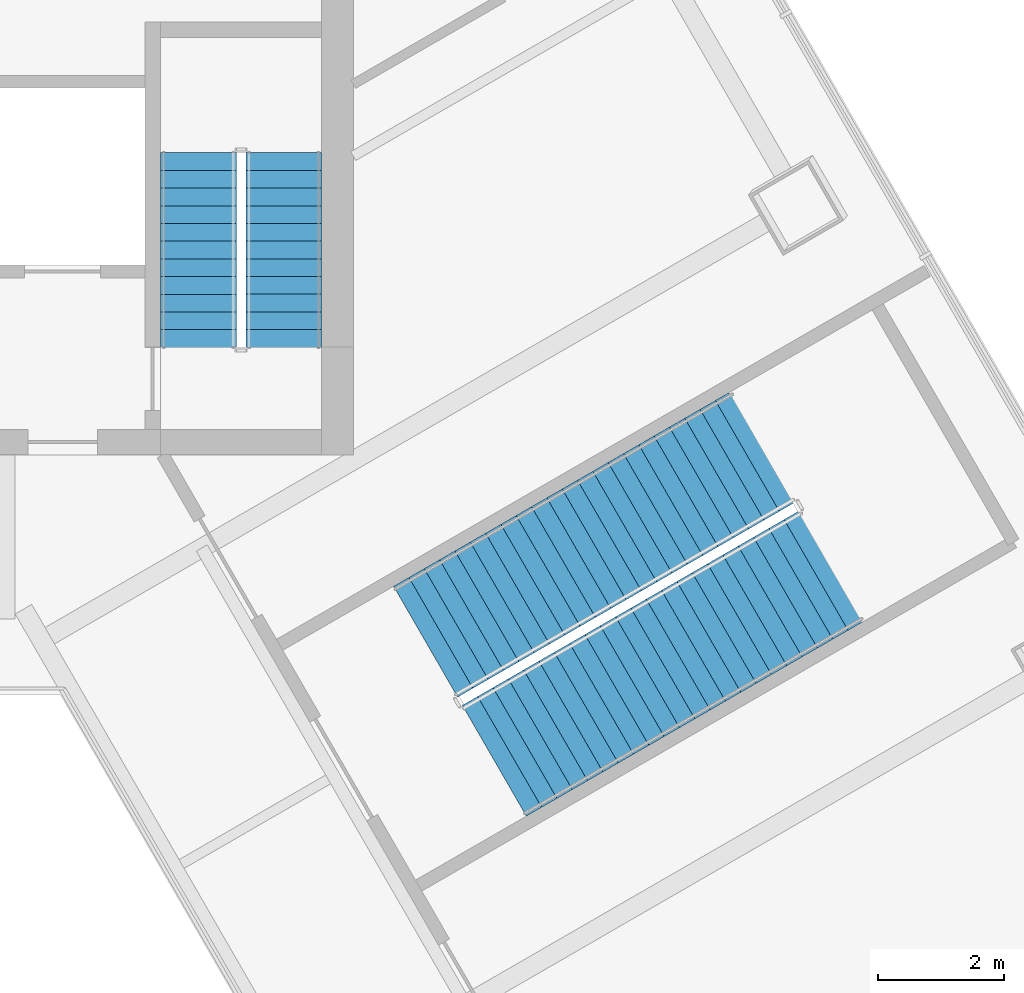
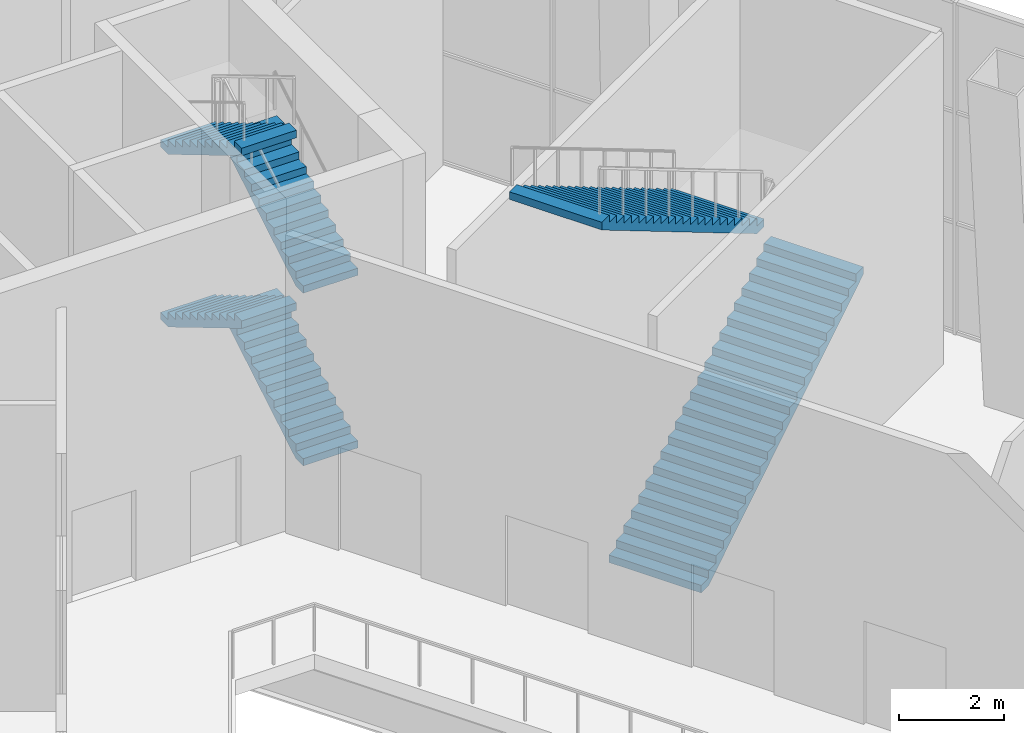
# One storey, part 13 of 16: 6 stair flights, 2 elements without a shape of their own.
"""IFC4 building model written with IfcOpenShell, lengths in metres."""

from ifc_helpers import new_model, si_unit, direction, frame, origin, place, context, subcontext, project, spatial, polyline, outline, extrude, material, type_object, element, aggregate, save


model = new_model("IFC4")

# Units and contexts
model_context = context("Model", 3, precision=1e-05, world=origin(), true_north=direction((0.0, 1.0)))
body_context = subcontext(model_context, "Body", "Model", "MODEL_VIEW")
ifc_project = project(units=[si_unit("LENGTHUNIT", "METRE"), si_unit("AREAUNIT", "SQUARE_METRE"), si_unit("VOLUMEUNIT", "CUBIC_METRE"), si_unit("PLANEANGLEUNIT", "RADIAN"), si_unit("MASSUNIT", "GRAM", prefix="KILO")], contexts=[model_context])

# Site, building, storey
site_placement = place(None, origin())
site = spatial("IfcSite", under=ifc_project, at=site_placement, CompositionType="ELEMENT")
building_placement = place(site_placement, origin())
building = spatial("IfcBuilding", under=site, at=building_placement, Name="Apuvela Tower Hotel", CompositionType="ELEMENT")
storey_placement = place(building_placement, frame((0.0, 0.0, 15.5)))
storey = spatial("IfcBuildingStorey", under=building, at=storey_placement, Name="L02", CompositionType="ELEMENT", Elevation=15.5)

# Stair, stair flights
ifc_material_1 = material(Name="Concrete C50/60", Category="concrete")
stair_type_1 = type_object("IfcStairType", Name="COR-STAIR-48R", PredefinedType="HALF_TURN_STAIR", material=ifc_material_1)
stair_1_placement = place(storey_placement, origin())
stair_1 = element("IfcStair", 1, at=stair_1_placement, inside=storey, type_object=stair_type_1, Name="L02 Exit stair ST1", PredefinedType="HALF_TURN_STAIR")
stair_flight_type_1 = type_object("IfcStairFlightType", Name="COR-FLIGHT-12R", PredefinedType="STRAIGHT", material=ifc_material_1)
stair_flight_1_placement = place(storey_placement, frame((4.39990234375, 14.60009765625, 0.0), z_axis=(0.0, 0.0, 1.0), x_axis=(0.0, 1.0, 0.0)))
stair_flight_1 = element("IfcStairFlight", 2, at=stair_flight_1_placement, type_object=stair_flight_type_1, Name="ST1 flight 1", NumberOfRisers=12, NumberOfTreads=11, PredefinedType="STRAIGHT", RiserHeight=0.166666667, TreadLength=0.28, context=body_context, shape_type="SweptSolid", body=[
    extrude(outline(polyline([(0.0, 0.0), (0.0, 0.166748046875), (0.280029296875, 0.166748046875), (0.280029296875, 0.333251953125), (0.56005859375, 0.333251953125), (0.56005859375, 0.5), (0.840087890625, 0.5), (0.840087890625, 0.666748046875), (1.1201171875, 0.666748046875), (1.1201171875, 0.833251953125), (1.39990234375, 0.833251953125), (1.39990234375, 1.0), (1.679931640625, 1.0), (1.679931640625, 1.166748046875), (1.9599609375, 1.166748046875), (1.9599609375, 1.333251953125), (2.239990234375, 1.333251953125), (2.239990234375, 1.5), (2.52001953125, 1.5), (2.52001953125, 1.666748046875), (2.800048828125, 1.666748046875), (2.800048828125, 1.833251953125), (3.080078125, 1.833251953125), (3.080078125, 2.0), (3.080078125, 1.658935546875), (0.29296875, 0.0), (0.0, 0.0)])), frame((0.0, 0.60009765625, 0.0), z_axis=(0.0, -1.0, 0.0), x_axis=(1.0, 0.0, 0.0)), (0.0, 0.0, 1.0), 1.199951171875),
])
stair_flight_2_placement = place(storey_placement, frame((3.050048828125, 17.679931640625, 2.0), z_axis=(0.0, 0.0, 1.0), x_axis=(0.0, -1.0, 0.0)))
stair_flight_2 = element("IfcStairFlight", 3, at=stair_flight_2_placement, type_object=stair_flight_type_1, Name="ST1 flight 2", NumberOfRisers=12, NumberOfTreads=11, PredefinedType="STRAIGHT", RiserHeight=0.166666667, TreadLength=0.28, context=body_context, shape_type="SweptSolid", body=[
    extrude(outline(polyline([(0.0, 0.0), (0.0, 0.166748046875), (0.280029296875, 0.166748046875), (0.280029296875, 0.333251953125), (0.56005859375, 0.333251953125), (0.56005859375, 0.5), (0.840087890625, 0.5), (0.840087890625, 0.666748046875), (1.1201171875, 0.666748046875), (1.1201171875, 0.833251953125), (1.39990234375, 0.833251953125), (1.39990234375, 1.0), (1.679931640625, 1.0), (1.679931640625, 1.166748046875), (1.9599609375, 1.166748046875), (1.9599609375, 1.333251953125), (2.239990234375, 1.333251953125), (2.239990234375, 1.5), (2.52001953125, 1.5), (2.52001953125, 1.666748046875), (2.800048828125, 1.666748046875), (2.800048828125, 1.833251953125), (3.080078125, 1.833251953125), (3.080078125, 2.0), (3.080078125, 1.658935546875), (0.29296875, 0.0), (0.0, 0.0)])), frame((0.0, 0.60009765625, 0.0), z_axis=(0.0, -1.0, 0.0), x_axis=(1.0, 0.0, 0.0)), (0.0, 0.0, 1.0), 1.199951171875),
])
stair_flight_3_placement = place(storey_placement, frame((4.39990234375, 14.60009765625, 4.0), z_axis=(0.0, 0.0, 1.0), x_axis=(0.0, 1.0, 0.0)))
stair_flight_3 = element("IfcStairFlight", 4, at=stair_flight_3_placement, type_object=stair_flight_type_1, Name="ST1 flight 3", NumberOfRisers=12, NumberOfTreads=11, PredefinedType="STRAIGHT", RiserHeight=0.166666667, TreadLength=0.28, context=body_context, shape_type="SweptSolid", body=[
    extrude(outline(polyline([(0.0, 0.0), (0.0, 0.166748046875), (0.280029296875, 0.166748046875), (0.280029296875, 0.333251953125), (0.56005859375, 0.333251953125), (0.56005859375, 0.5), (0.840087890625, 0.5), (0.840087890625, 0.666748046875), (1.1201171875, 0.666748046875), (1.1201171875, 0.833251953125), (1.39990234375, 0.833251953125), (1.39990234375, 1.0), (1.679931640625, 1.0), (1.679931640625, 1.166748046875), (1.9599609375, 1.166748046875), (1.9599609375, 1.333251953125), (2.239990234375, 1.333251953125), (2.239990234375, 1.5), (2.52001953125, 1.5), (2.52001953125, 1.666748046875), (2.800048828125, 1.666748046875), (2.800048828125, 1.833251953125), (3.080078125, 1.833251953125), (3.080078125, 2.0), (3.080078125, 1.658935546875), (0.29296875, 0.0), (0.0, 0.0)])), frame((0.0, 0.60009765625, 0.0), z_axis=(0.0, -1.0, 0.0), x_axis=(1.0, 0.0, 0.0)), (0.0, 0.0, 1.0), 1.199951171875),
])
stair_flight_4_placement = place(storey_placement, frame((3.050048828125, 17.679931640625, 6.0), z_axis=(0.0, 0.0, 1.0), x_axis=(0.0, -1.0, 0.0)))
stair_flight_4 = element("IfcStairFlight", 5, at=stair_flight_4_placement, type_object=stair_flight_type_1, Name="ST1 flight 4", NumberOfRisers=12, NumberOfTreads=11, PredefinedType="STRAIGHT", RiserHeight=0.166666667, TreadLength=0.28, context=body_context, shape_type="SweptSolid", body=[
    extrude(outline(polyline([(0.0, 0.0), (0.0, 0.166748046875), (0.280029296875, 0.166748046875), (0.280029296875, 0.333251953125), (0.56005859375, 0.333251953125), (0.56005859375, 0.5), (0.840087890625, 0.5), (0.840087890625, 0.666748046875), (1.1201171875, 0.666748046875), (1.1201171875, 0.833251953125), (1.39990234375, 0.833251953125), (1.39990234375, 1.0), (1.679931640625, 1.0), (1.679931640625, 1.166748046875), (1.9599609375, 1.166748046875), (1.9599609375, 1.333251953125), (2.239990234375, 1.333251953125), (2.239990234375, 1.5), (2.52001953125, 1.5), (2.52001953125, 1.666748046875), (2.800048828125, 1.666748046875), (2.800048828125, 1.833251953125), (3.080078125, 1.833251953125), (3.080078125, 2.0), (3.080078125, 1.658935546875), (0.29296875, 0.0), (0.0, 0.0)])), frame((0.0, 0.60009765625, 0.0), z_axis=(0.0, -1.0, 0.0), x_axis=(1.0, 0.0, 0.0)), (0.0, 0.0, 1.0), 1.199951171875),
])
aggregate(stair_1, [stair_flight_1, stair_flight_2, stair_flight_3, stair_flight_4])

ifc_material_2 = material(Name="Concrete C40/50", Category="concrete")
stair_type_2 = type_object("IfcStairType", Name="SPC-STAIR-PS", PredefinedType="HALF_TURN_STAIR", material=ifc_material_2)
stair_2_placement = place(storey_placement, origin())
stair_2 = element("IfcStair", 6, at=stair_2_placement, inside=storey, type_object=stair_type_2, Name="L02 Protected exit stair PS1", PredefinedType="HALF_TURN_STAIR")
stair_flight_type_2 = type_object("IfcStairFlightType", Name="SPC-FLIGHT-PS", PredefinedType="STRAIGHT", material=ifc_material_2)
stair_flight_5_placement = place(storey_placement, frame((7.73193359375, 8.05810546875, 0.0), z_axis=(0.0, 0.0, 1.0), x_axis=(0.866025403784, 0.5, 0.0)))
stair_flight_5 = element("IfcStairFlight", 7, at=stair_flight_5_placement, type_object=stair_flight_type_2, Name="PS1 flight 1", NumberOfRisers=23, NumberOfTreads=22, PredefinedType="STRAIGHT", RiserHeight=0.173913043, TreadLength=0.28, context=body_context, shape_type="SweptSolid", body=[
    extrude(outline(polyline([(0.0, 0.0), (0.0, 0.173828125), (0.280029296875, 0.173828125), (0.280029296875, 0.347900390625), (0.56005859375, 0.347900390625), (0.56005859375, 0.521728515625), (0.840087890625, 0.521728515625), (0.840087890625, 0.695556640625), (1.1201171875, 0.695556640625), (1.1201171875, 0.86962890625), (1.39990234375, 0.86962890625), (1.39990234375, 1.04345703125), (1.679931640625, 1.04345703125), (1.679931640625, 1.21728515625), (1.9599609375, 1.21728515625), (1.9599609375, 1.391357421875), (2.239990234375, 1.391357421875), (2.239990234375, 1.565185546875), (2.52001953125, 1.565185546875), (2.52001953125, 1.739013671875), (2.800048828125, 1.739013671875), (2.800048828125, 1.9130859375), (3.080078125, 1.9130859375), (3.080078125, 2.0869140625), (3.360107421875, 2.0869140625), (3.360107421875, 2.260986328125), (3.639892578125, 2.260986328125), (3.639892578125, 2.434814453125), (3.919921875, 2.434814453125), (3.919921875, 2.608642578125), (4.199951171875, 2.608642578125), (4.199951171875, 2.78271484375), (4.47998046875, 2.78271484375), (4.47998046875, 2.95654296875), (4.760009765625, 2.95654296875), (4.760009765625, 3.13037109375), (5.0400390625, 3.13037109375), (5.0400390625, 3.304443359375), (5.320068359375, 3.304443359375), (5.320068359375, 3.478271484375), (5.60009765625, 3.478271484375), (5.60009765625, 3.652099609375), (5.8798828125, 3.652099609375), (5.8798828125, 3.826171875), (6.159912109375, 3.826171875), (6.159912109375, 4.0), (6.159912109375, 3.649658203125), (0.2841796875, 0.0), (0.0, 0.0)])), frame((0.0, 1.012451171875, 0.0), z_axis=(0.0, -1.0, 0.0), x_axis=(1.0, 0.0, 0.0)), (0.0, 0.0, 1.0), 2.02490234375),
])
stair_flight_6_placement = place(storey_placement, frame((11.97900390625, 13.021728515625, 4.0), z_axis=(0.0, 0.0, 1.0), x_axis=(-0.866025403784, -0.5, 0.0)))
stair_flight_6 = element("IfcStairFlight", 8, at=stair_flight_6_placement, type_object=stair_flight_type_2, Name="PS1 flight 2", NumberOfRisers=23, NumberOfTreads=22, PredefinedType="STRAIGHT", RiserHeight=0.173913043, TreadLength=0.28, context=body_context, shape_type="SweptSolid", body=[
    extrude(outline(polyline([(0.0, 0.0), (0.0, 0.173828125), (0.280029296875, 0.173828125), (0.280029296875, 0.347900390625), (0.56005859375, 0.347900390625), (0.56005859375, 0.521728515625), (0.840087890625, 0.521728515625), (0.840087890625, 0.695556640625), (1.1201171875, 0.695556640625), (1.1201171875, 0.86962890625), (1.39990234375, 0.86962890625), (1.39990234375, 1.04345703125), (1.679931640625, 1.04345703125), (1.679931640625, 1.21728515625), (1.9599609375, 1.21728515625), (1.9599609375, 1.391357421875), (2.239990234375, 1.391357421875), (2.239990234375, 1.565185546875), (2.52001953125, 1.565185546875), (2.52001953125, 1.739013671875), (2.800048828125, 1.739013671875), (2.800048828125, 1.9130859375), (3.080078125, 1.9130859375), (3.080078125, 2.0869140625), (3.360107421875, 2.0869140625), (3.360107421875, 2.260986328125), (3.639892578125, 2.260986328125), (3.639892578125, 2.434814453125), (3.919921875, 2.434814453125), (3.919921875, 2.608642578125), (4.199951171875, 2.608642578125), (4.199951171875, 2.78271484375), (4.47998046875, 2.78271484375), (4.47998046875, 2.95654296875), (4.760009765625, 2.95654296875), (4.760009765625, 3.13037109375), (5.0400390625, 3.13037109375), (5.0400390625, 3.304443359375), (5.320068359375, 3.304443359375), (5.320068359375, 3.478271484375), (5.60009765625, 3.478271484375), (5.60009765625, 3.652099609375), (5.8798828125, 3.652099609375), (5.8798828125, 3.826171875), (6.159912109375, 3.826171875), (6.159912109375, 4.0), (6.159912109375, 3.649658203125), (0.2841796875, 0.0), (0.0, 0.0)])), frame((0.0, 1.012451171875, 0.0), z_axis=(0.0, -1.0, 0.0), x_axis=(1.0, 0.0, 0.0)), (0.0, 0.0, 1.0), 2.02490234375),
])
aggregate(stair_2, [stair_flight_5, stair_flight_6])

save(model, "model.ifc")
